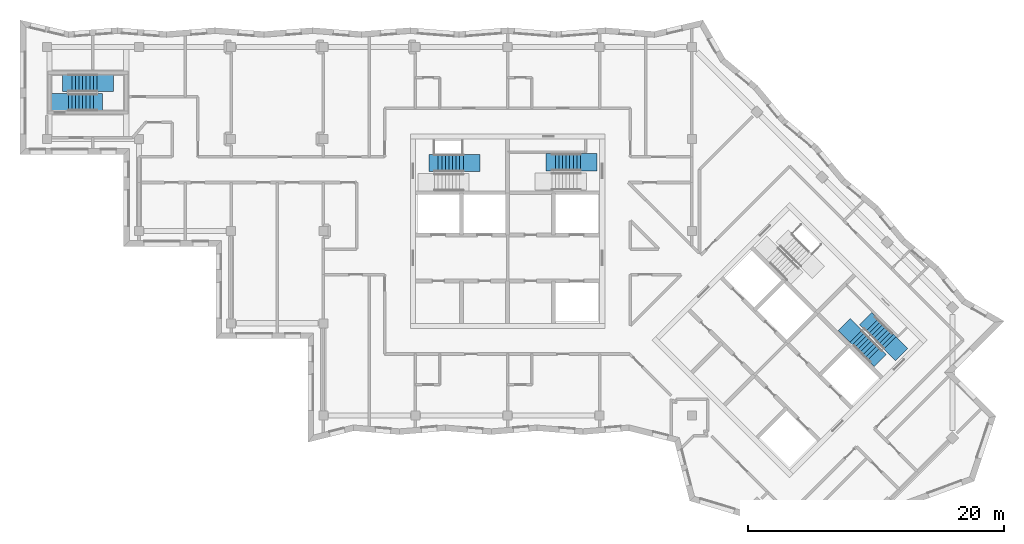
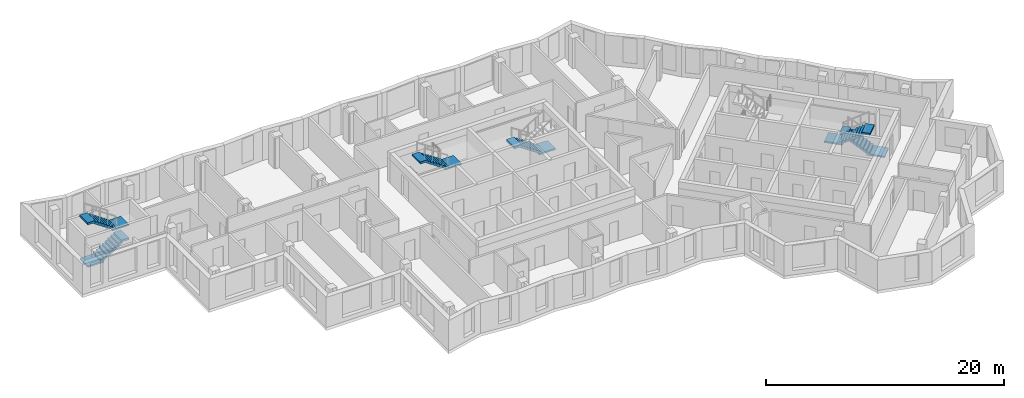
# One storey, part 9 of 13: 6 stair flights, 4 elements without a shape of their own.
"""IFC4 building model written with IfcOpenShell, lengths in metres."""

from ifc_helpers import new_model, si_unit, direction, frame, origin, place, context, subcontext, project, spatial, polyline, outline, extrude, material, type_object, element, aggregate, save


model = new_model("IFC4")

# Units and contexts
model_context = context("Model", 3, precision=1e-05, world=origin(), true_north=direction((0.0, 1.0)))
body_context = subcontext(model_context, "Body", "Model", "MODEL_VIEW")
ifc_project = project(units=[si_unit("LENGTHUNIT", "METRE"), si_unit("AREAUNIT", "SQUARE_METRE"), si_unit("VOLUMEUNIT", "CUBIC_METRE"), si_unit("PLANEANGLEUNIT", "RADIAN"), si_unit("MASSUNIT", "GRAM", prefix="KILO")], contexts=[model_context])

# Site, building, storey
site_placement = place(None, origin())
site = spatial("IfcSite", under=ifc_project, at=site_placement, CompositionType="ELEMENT")
building_placement = place(site_placement, origin())
building = spatial("IfcBuilding", under=site, at=building_placement, Name="Windrow Commons", CompositionType="ELEMENT")
storey_placement = place(building_placement, frame((0.0, 0.0, 243.8)))
storey = spatial("IfcBuildingStorey", under=building, at=storey_placement, Name="L66", CompositionType="ELEMENT", Elevation=243.8)

# Stair, stair flight
ifc_material_1 = material(Name="Concrete C40/50", Category="concrete")
stair_type = type_object("IfcStairType", Name="Core stair", PredefinedType="HALF_TURN_STAIR", material=ifc_material_1)
placement = place(storey_placement, origin())
stair_1 = element("IfcStair", 1, at=placement, inside=storey, type_object=stair_type, Name="L66 Exit stair A1 core A", PredefinedType="HALF_TURN_STAIR")
ifc_material_2 = material(Name="Concrete C40/50", Category="concrete")
stair_flight_type = type_object("IfcStairFlightType", Name="Core stair flight", PredefinedType="STRAIGHT", material=ifc_material_2)
stair_flight_1_placement = place(storey_placement, frame((61.34, 62.925, 1.7), z_axis=(0.0, 0.0, 1.0), x_axis=(-1.0, 0.0, 0.0)))
stair_flight_1 = element("IfcStairFlight", 2, at=stair_flight_1_placement, type_object=stair_flight_type, Name="ST-A1 flight 2", NumberOfRisers=9, NumberOfTreads=8, PredefinedType="STRAIGHT", RiserHeight=0.188888889, TreadLength=0.28, context=body_context, shape_type="SweptSolid", body=[
    extrude(outline(polyline([(-1.3, -0.15), (-1.3, 0.0), (0.0, 0.0), (0.0, 0.1889), (0.28, 0.1889), (0.28, 0.3778), (0.56, 0.3778), (0.56, 0.5667), (0.84, 0.5667), (0.84, 0.7556), (1.12, 0.7556), (1.12, 0.9444), (1.4, 0.9444), (1.4, 1.1333), (1.68, 1.1333), (1.68, 1.3222), (1.96, 1.3222), (1.96, 1.5111), (2.24, 1.5111), (2.69, 1.5111), (2.69, 1.3111), (2.24, 1.3111), (2.24, 1.3302), (0.2682, 0.0), (0.2682, -0.15), (-1.3, -0.15)])), frame((0.0, 0.675, 0.0), z_axis=(0.0, -1.0, 0.0), x_axis=(1.0, 0.0, 0.0)), (0.0, 0.0, 1.0), 1.35),
])
aggregate(stair_1, [stair_flight_1])

stair_2 = element("IfcStair", 3, at=placement, inside=storey, type_object=stair_type, Name="L66 Exit stair A2 core A", PredefinedType="HALF_TURN_STAIR")
stair_flight_2_placement = place(storey_placement, frame((70.5, 62.98, 0.0), z_axis=(0.0, 0.0, 1.0), x_axis=(-1.0, 0.0, 0.0)))
stair_flight_2 = element("IfcStairFlight", 4, at=stair_flight_2_placement, type_object=stair_flight_type, Name="ST-A2 flight 1", NumberOfRisers=9, NumberOfTreads=8, PredefinedType="STRAIGHT", RiserHeight=0.188888889, TreadLength=0.28, context=body_context, shape_type="SweptSolid", body=[
    extrude(outline(polyline([(-1.3, -0.15), (-1.3, 0.0), (0.0, 0.0), (0.0, 0.1889), (0.28, 0.1889), (0.28, 0.3778), (0.56, 0.3778), (0.56, 0.5667), (0.84, 0.5667), (0.84, 0.7556), (1.12, 0.7556), (1.12, 0.9444), (1.4, 0.9444), (1.4, 1.1333), (1.68, 1.1333), (1.68, 1.3222), (1.96, 1.3222), (1.96, 1.5111), (2.24, 1.5111), (2.69, 1.5111), (2.69, 1.3111), (2.24, 1.3111), (2.24, 1.3302), (0.2682, 0.0), (0.2682, -0.15), (-1.3, -0.15)])), frame((0.0, 0.675, 0.0), z_axis=(0.0, -1.0, 0.0), x_axis=(1.0, 0.0, 0.0)), (0.0, 0.0, 1.0), 1.35),
])
aggregate(stair_2, [stair_flight_2])

# Stair, stair flights
stair_3 = element("IfcStair", 5, at=placement, inside=storey, type_object=stair_type, Name="L66 Exit stair B2 core B", PredefinedType="HALF_TURN_STAIR")
stair_flight_3_placement = place(storey_placement, frame((94.6715, 48.8635, 0.0), z_axis=(0.0, 0.0, 1.0), x_axis=(-0.7071067812, 0.7071067812, 0.0)))
stair_flight_3 = element("IfcStairFlight", 6, at=stair_flight_3_placement, type_object=stair_flight_type, Name="ST-B2 flight 1", NumberOfRisers=9, NumberOfTreads=8, PredefinedType="STRAIGHT", RiserHeight=0.188888889, TreadLength=0.28, context=body_context, shape_type="SweptSolid", body=[
    extrude(outline(polyline([(-1.3, -0.15), (-1.3, 0.0), (0.0, 0.0), (0.0, 0.1889), (0.28, 0.1889), (0.28, 0.3778), (0.56, 0.3778), (0.56, 0.5667), (0.84, 0.5667), (0.84, 0.7556), (1.12, 0.7556), (1.12, 0.9444), (1.4, 0.9444), (1.4, 1.1333), (1.68, 1.1333), (1.68, 1.3222), (1.96, 1.3222), (1.96, 1.5111), (2.24, 1.5111), (2.69, 1.5111), (2.69, 1.3111), (2.24, 1.3111), (2.24, 1.3302), (0.2682, 0.0), (0.2682, -0.15), (-1.3, -0.15)])), frame((0.0, 0.675, 0.0), z_axis=(0.0, -1.0, 0.0), x_axis=(1.0, 0.0, 0.0)), (0.0, 0.0, 1.0), 1.35),
])
stair_flight_4_placement = place(storey_placement, frame((92.0269, 49.3867, 1.7), z_axis=(0.0, 0.0, 1.0), x_axis=(0.7071067812, -0.7071067812, 0.0)))
stair_flight_4 = element("IfcStairFlight", 7, at=stair_flight_4_placement, type_object=stair_flight_type, Name="ST-B2 flight 2", NumberOfRisers=9, NumberOfTreads=8, PredefinedType="STRAIGHT", RiserHeight=0.188888889, TreadLength=0.28, context=body_context, shape_type="SweptSolid", body=[
    extrude(outline(polyline([(-1.3, -0.15), (-1.3, 0.0), (0.0, 0.0), (0.0, 0.1889), (0.28, 0.1889), (0.28, 0.3778), (0.56, 0.3778), (0.56, 0.5667), (0.84, 0.5667), (0.84, 0.7556), (1.12, 0.7556), (1.12, 0.9444), (1.4, 0.9444), (1.4, 1.1333), (1.68, 1.1333), (1.68, 1.3222), (1.96, 1.3222), (1.96, 1.5111), (2.24, 1.5111), (2.69, 1.5111), (2.69, 1.3111), (2.24, 1.3111), (2.24, 1.3302), (0.2682, 0.0), (0.2682, -0.15), (-1.3, -0.15)])), frame((0.0, 0.675, 0.0), z_axis=(0.0, -1.0, 0.0), x_axis=(1.0, 0.0, 0.0)), (0.0, 0.0, 1.0), 1.35),
])
aggregate(stair_3, [stair_flight_3, stair_flight_4])

stair_4 = element("IfcStair", 8, at=placement, inside=storey, type_object=stair_type, Name="L66 Exit stair W", PredefinedType="HALF_TURN_STAIR")
stair_flight_5_placement = place(storey_placement, frame((30.475, 67.675, 0.0), z_axis=(0.0, 0.0, 1.0), x_axis=(1.0, 0.0, 0.0)))
stair_flight_5 = element("IfcStairFlight", 9, at=stair_flight_5_placement, type_object=stair_flight_type, Name="ST-W flight 1", NumberOfRisers=9, NumberOfTreads=8, PredefinedType="STRAIGHT", RiserHeight=0.188888889, TreadLength=0.28, context=body_context, shape_type="SweptSolid", body=[
    extrude(outline(polyline([(-1.3, -0.15), (-1.3, 0.0), (0.0, 0.0), (0.0, 0.1889), (0.28, 0.1889), (0.28, 0.3778), (0.56, 0.3778), (0.56, 0.5667), (0.84, 0.5667), (0.84, 0.7556), (1.12, 0.7556), (1.12, 0.9444), (1.4, 0.9444), (1.4, 1.1333), (1.68, 1.1333), (1.68, 1.3222), (1.96, 1.3222), (1.96, 1.5111), (2.24, 1.5111), (2.69, 1.5111), (2.69, 1.3111), (2.24, 1.3111), (2.24, 1.3302), (0.2682, 0.0), (0.2682, -0.15), (-1.3, -0.15)])), frame((0.0, 0.675, 0.0), z_axis=(0.0, -1.0, 0.0), x_axis=(1.0, 0.0, 0.0)), (0.0, 0.0, 1.0), 1.35),
])
stair_flight_6_placement = place(storey_placement, frame((32.715, 69.175, 1.7), z_axis=(0.0, 0.0, 1.0), x_axis=(-1.0, 0.0, 0.0)))
stair_flight_6 = element("IfcStairFlight", 10, at=stair_flight_6_placement, type_object=stair_flight_type, Name="ST-W flight 2", NumberOfRisers=9, NumberOfTreads=8, PredefinedType="STRAIGHT", RiserHeight=0.188888889, TreadLength=0.28, context=body_context, shape_type="SweptSolid", body=[
    extrude(outline(polyline([(-1.3, -0.15), (-1.3, 0.0), (0.0, 0.0), (0.0, 0.1889), (0.28, 0.1889), (0.28, 0.3778), (0.56, 0.3778), (0.56, 0.5667), (0.84, 0.5667), (0.84, 0.7556), (1.12, 0.7556), (1.12, 0.9444), (1.4, 0.9444), (1.4, 1.1333), (1.68, 1.1333), (1.68, 1.3222), (1.96, 1.3222), (1.96, 1.5111), (2.24, 1.5111), (2.69, 1.5111), (2.69, 1.3111), (2.24, 1.3111), (2.24, 1.3302), (0.2682, 0.0), (0.2682, -0.15), (-1.3, -0.15)])), frame((0.0, 0.675, 0.0), z_axis=(0.0, -1.0, 0.0), x_axis=(1.0, 0.0, 0.0)), (0.0, 0.0, 1.0), 1.35),
])
aggregate(stair_4, [stair_flight_5, stair_flight_6])

save(model, "model.ifc")
